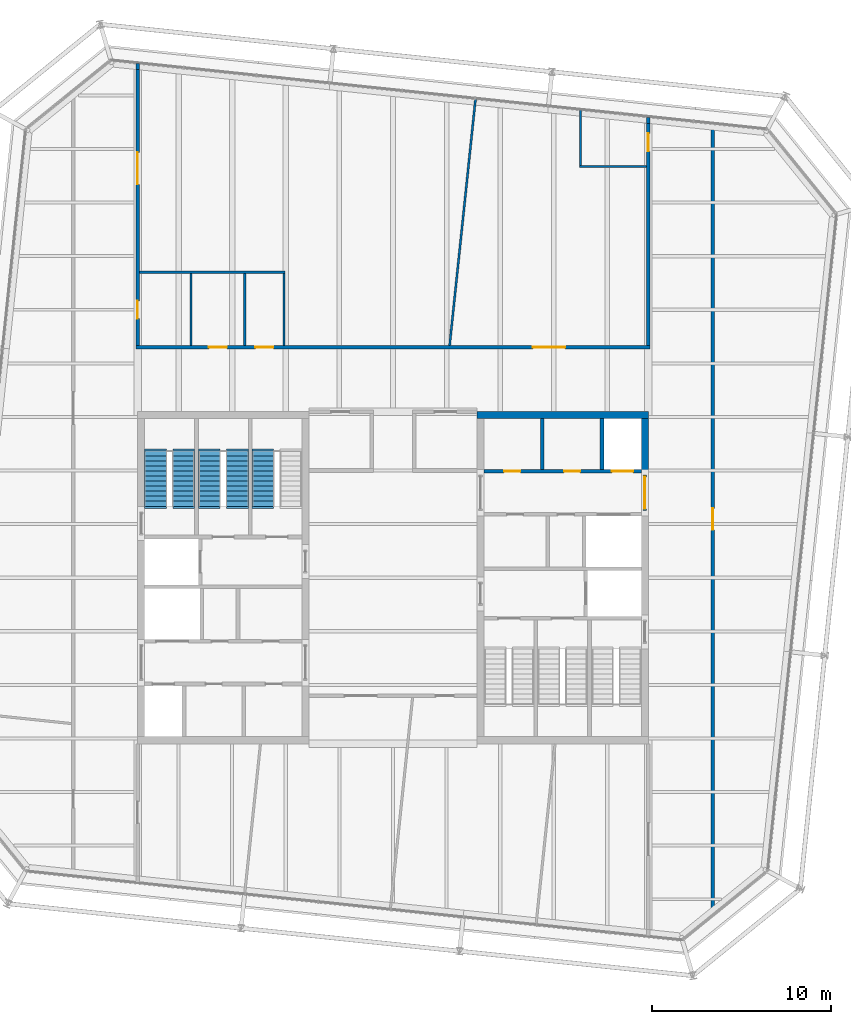
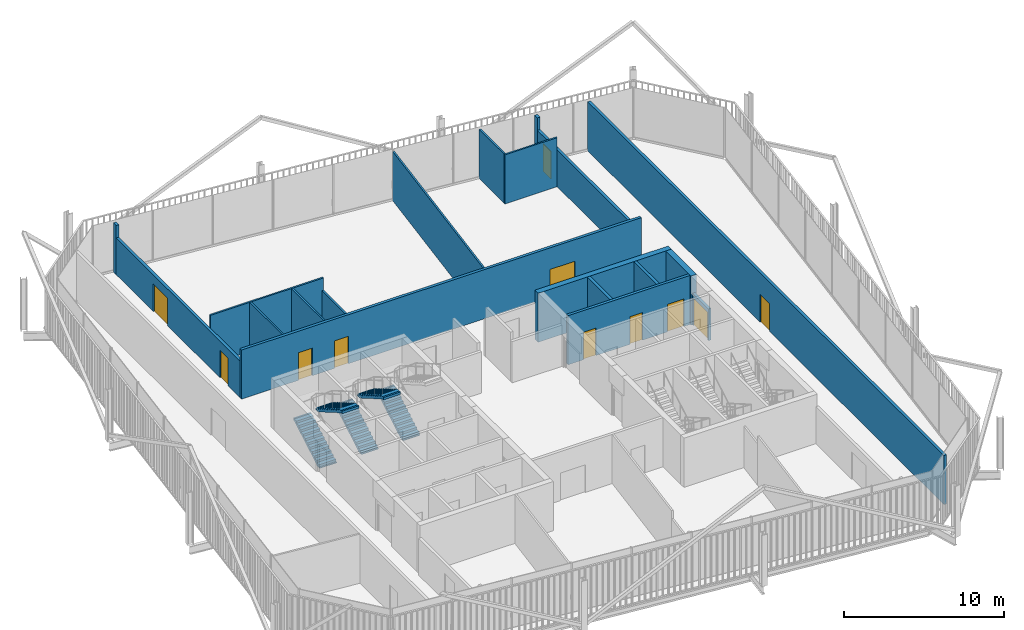
# One storey, part 19 of 21: 19 walls, 11 doors, 5 stair flights, 11 openings, 3 elements without a shape of their own.
"""IFC4 building model written with IfcOpenShell, lengths in metres."""

from ifc_helpers import new_model, si_unit, direction, frame, frame_2d, origin, place, context, subcontext, project, spatial, polyline, rectangle, outline, extrude, material, layer, layer_set, type_object, element, fill, aggregate, save


model = new_model("IFC4")

# Units and contexts
model_context = context("Model", 3, precision=1e-05, world=origin(), true_north=direction((0.0, 1.0)))
body_context = subcontext(model_context, "Body", "Model", "MODEL_VIEW")
ifc_project = project(units=[si_unit("LENGTHUNIT", "METRE"), si_unit("AREAUNIT", "SQUARE_METRE"), si_unit("VOLUMEUNIT", "CUBIC_METRE"), si_unit("PLANEANGLEUNIT", "RADIAN"), si_unit("MASSUNIT", "GRAM", prefix="KILO")], contexts=[model_context])

# Site, building, storey
site_placement = place(None, origin())
site = spatial("IfcSite", under=ifc_project, at=site_placement, CompositionType="ELEMENT")
building_placement = place(site_placement, origin())
building = spatial("IfcBuilding", under=site, at=building_placement, Name="Millrace Tower", CompositionType="ELEMENT")
storey_placement = place(building_placement, frame((0.0, 0.0, 291.60009765625)))
storey = spatial("IfcBuildingStorey", under=building, at=storey_placement, Name="L67", CompositionType="ELEMENT", Elevation=291.60009765625)

# Walls
ifc_material_1 = material(Name="Concrete C60", Category="concrete")
ifc_layer_1 = layer(ifc_material_1, 0.39990234375)
ifc_layer_set_1 = layer_set([ifc_layer_1], Name="Concrete C60")
wall_type_1 = type_object("IfcWallType", Name="Core wall 400 Concrete C60", PredefinedType="SHEAR", material=ifc_layer_set_1)
wall_1_placement = place(storey_placement, frame((14.300048828125, 9.10009765625, 0.0), z_axis=(0.0, 0.0, 1.0), x_axis=(-1.0, 0.0, 0.0)))
element("IfcWall", 1, at=wall_1_placement, inside=storey, type_object=wall_type_1, Name="Core wall E L67", PredefinedType="SHEAR", context=body_context, shape_type="SweptSolid", body=[
    extrude(rectangle(XDim=9.60009765625, YDim=0.39990234375, at=frame_2d((4.800048828125, 0.0))), origin(), (0.0, 0.0, 1.0), 3.739990234375),
])
wall_2_placement = place(storey_placement, frame((14.10009765625, 8.89990234375, 0.0), z_axis=(0.0, 0.0, 1.0), x_axis=(0.0, -1.0, 0.0)))
element("IfcWall", 2, at=wall_2_placement, inside=storey, type_object=wall_type_1, Name="Core wall E L67", PredefinedType="SHEAR", context=body_context, shape_type="SweptSolid", body=[
    extrude(rectangle(XDim=3.14990234375, YDim=0.39990234375, at=frame_2d((1.574951171875, 0.0))), origin(), (0.0, 0.0, 1.0), 3.739990234375),
])

# Wall, openings, doors
ifc_material_2 = material(Name="Masonry partition, fire-rated", Category="masonry")
ifc_layer_2 = layer(ifc_material_2, 0.199951171875)
ifc_layer_set_2 = layer_set([ifc_layer_2], Name="Masonry partition, fire-rated")
wall_type_2 = type_object("IfcWallType", Name="Corridor wall 200", PredefinedType="PARTITIONING", material=ifc_layer_set_2)
wall_3_placement = place(storey_placement, frame((-14.39990234375, 12.89990234375, 0.0), z_axis=(0.0, 0.0, 1.0), x_axis=(1.0, 0.0, 0.0)))
wall_3 = element("IfcWall", 3, at=wall_3_placement, inside=storey, type_object=wall_type_2, Name="Corridor wall L67", PredefinedType="PARTITIONING", context=body_context, shape_type="SweptSolid", body=[
    extrude(rectangle(XDim=28.7998046875, YDim=0.199951171875, at=frame_2d((14.39990234375, 0.0))), origin(), (0.0, 0.0, 1.0), 3.739990234375),
])
opening_1_placement = place(wall_3_placement, frame((22.22998046875, 0.0, 0.0)))
opening_1 = element("IfcOpeningElement", 4, at=opening_1_placement, cuts=wall_3, Name="Opening 67-P006", PredefinedType="OPENING", context=body_context, shape_type="SweptSolid", body=[
    extrude(rectangle(XDim=1.800048828125, YDim=2.10009765625, at=frame_2d((0.89990234375, 1.050048828125))), frame((0.0, 0.10986328125, 0.0), z_axis=(0.0, -1.0, 0.0), x_axis=(1.0, 0.0, 0.0)), (0.0, 0.0, 1.0), 0.219970703125),
])
opening_2_placement = place(wall_3_placement, frame((4.10009765625, 0.0, 0.0)))
opening_2 = element("IfcOpeningElement", 5, at=opening_2_placement, cuts=wall_3, Name="Opening 67-P014", PredefinedType="OPENING", context=body_context, shape_type="SweptSolid", body=[
    extrude(rectangle(XDim=1.0, YDim=2.10009765625, at=frame_2d((0.5, 1.050048828125))), frame((0.0, 0.10986328125, 0.0), z_axis=(0.0, -1.0, 0.0), x_axis=(1.0, 0.0, 0.0)), (0.0, 0.0, 1.0), 0.219970703125),
])
opening_3_placement = place(wall_3_placement, frame((6.699951171875, 0.0, 0.0)))
opening_3 = element("IfcOpeningElement", 6, at=opening_3_placement, cuts=wall_3, Name="Opening 67-P015", PredefinedType="OPENING", context=body_context, shape_type="SweptSolid", body=[
    extrude(rectangle(XDim=1.0, YDim=2.10009765625, at=frame_2d((0.5, 1.050048828125))), frame((0.0, 0.10986328125, 0.0), z_axis=(0.0, -1.0, 0.0), x_axis=(1.0, 0.0, 0.0)), (0.0, 0.0, 1.0), 0.219970703125),
])
ifc_material_3 = material(Name="Steel door set, fire-rated", Category="steel")
door_type_1 = type_object("IfcDoorType", Name="Corridor door 1000 x 2100", OperationType="SINGLE_SWING_LEFT", PredefinedType="DOOR", material=ifc_material_3)
door_1_placement = place(opening_2_placement, origin())
door_1 = element("IfcDoor", 7, at=door_1_placement, inside=storey, type_object=door_type_1, Name="Door 67-P014", OperationType="SINGLE_SWING_LEFT", OverallHeight=2.10009765625, OverallWidth=1.0, PredefinedType="DOOR", context=body_context, shape_type="SweptSolid", body=[
    extrude(rectangle(XDim=1.0, YDim=2.10009765625, at=frame_2d((0.5, 1.050048828125))), frame((0.0, 0.02490234375, 0.0), z_axis=(0.0, -1.0, 0.0), x_axis=(1.0, 0.0, 0.0)), (0.0, 0.0, 1.0), 0.050048828125),
])
fill(opening_2, door_1)
door_2_placement = place(opening_3_placement, origin())
door_2 = element("IfcDoor", 8, at=door_2_placement, inside=storey, type_object=door_type_1, Name="Door 67-P015", OperationType="SINGLE_SWING_LEFT", OverallHeight=2.10009765625, OverallWidth=1.0, PredefinedType="DOOR", context=body_context, shape_type="SweptSolid", body=[
    extrude(rectangle(XDim=1.0, YDim=2.10009765625, at=frame_2d((0.5, 1.050048828125))), frame((0.0, 0.02490234375, 0.0), z_axis=(0.0, -1.0, 0.0), x_axis=(1.0, 0.0, 0.0)), (0.0, 0.0, 1.0), 0.050048828125),
])
fill(opening_3, door_2)
ifc_material_4 = material(Name="Steel door set, fire-rated", Category="steel")
door_type_2 = type_object("IfcDoorType", Name="Corridor door 1800 x 2100", OperationType="DOUBLE_DOOR_SINGLE_SWING", PredefinedType="DOOR", material=ifc_material_4)
door_3_placement = place(opening_1_placement, origin())
door_3 = element("IfcDoor", 9, at=door_3_placement, inside=storey, type_object=door_type_2, Name="Door 67-P006", OperationType="DOUBLE_DOOR_SINGLE_SWING", OverallHeight=2.10009765625, OverallWidth=1.800048828125, PredefinedType="DOOR", context=body_context, shape_type="SweptSolid", body=[
    extrude(rectangle(XDim=1.800048828125, YDim=2.10009765625, at=frame_2d((0.89990234375, 1.050048828125))), frame((0.0, 0.02490234375, 0.0), z_axis=(0.0, -1.0, 0.0), x_axis=(1.0, 0.0, 0.0)), (0.0, 0.0, 1.0), 0.050048828125),
])
fill(opening_1, door_3)

# Wall, opening, door
wall_4_placement = place(storey_placement, frame((17.89990234375, -19.042236328125, 0.0), z_axis=(0.0, 0.0, 1.0), x_axis=(0.0, 1.0, 0.0)))
wall_4 = element("IfcWall", 10, at=wall_4_placement, inside=storey, type_object=wall_type_2, Name="Corridor wall L67", PredefinedType="PARTITIONING", context=body_context, shape_type="SweptSolid", body=[
    extrude(rectangle(XDim=44.437255859375, YDim=0.199951171875, at=frame_2d((22.21875, 0.0))), origin(), (0.0, 0.0, 1.0), 3.739990234375),
])
opening_4_placement = place(wall_4_placement, frame((21.725830078125, 0.0, 0.0)))
opening_4 = element("IfcOpeningElement", 11, at=opening_4_placement, cuts=wall_4, Name="Opening 67-P008", PredefinedType="OPENING", context=body_context, shape_type="SweptSolid", body=[
    extrude(rectangle(XDim=1.199951171875, YDim=2.10009765625, at=frame_2d((0.60009765625, 1.050048828125))), frame((0.0, 0.10986328125, 0.0), z_axis=(0.0, -1.0, 0.0), x_axis=(1.0, 0.0, 0.0)), (0.0, 0.0, 1.0), 0.219970703125),
])
ifc_material_5 = material(Name="Steel door set, fire-rated", Category="steel")
door_type_3 = type_object("IfcDoorType", Name="Corridor door 1200 x 2100", OperationType="SINGLE_SWING_LEFT", PredefinedType="DOOR", material=ifc_material_5)
door_4_placement = place(opening_4_placement, origin())
door_4 = element("IfcDoor", 12, at=door_4_placement, inside=storey, type_object=door_type_3, Name="Door 67-P008", OperationType="SINGLE_SWING_LEFT", OverallHeight=2.10009765625, OverallWidth=1.199951171875, PredefinedType="DOOR", context=body_context, shape_type="SweptSolid", body=[
    extrude(rectangle(XDim=1.199951171875, YDim=2.10009765625, at=frame_2d((0.60009765625, 1.050048828125))), frame((0.0, 0.02490234375, 0.0), z_axis=(0.0, -1.0, 0.0), x_axis=(1.0, 0.0, 0.0)), (0.0, 0.0, 1.0), 0.050048828125),
])
fill(opening_4, door_4)

wall_5_placement = place(storey_placement, frame((14.300048828125, 13.0, 0.0), z_axis=(0.0, 0.0, 1.0), x_axis=(0.0, 1.0, 0.0)))
wall_5 = element("IfcWall", 13, at=wall_5_placement, inside=storey, type_object=wall_type_2, Name="Corridor wall L67", PredefinedType="PARTITIONING", context=body_context, shape_type="SweptSolid", body=[
    extrude(rectangle(XDim=12.434326171875, YDim=0.199951171875, at=frame_2d((6.21728515625, 0.0))), origin(), (0.0, 0.0, 1.0), 2.79248046875),
])
opening_5_placement = place(wall_5_placement, frame((10.873046875, 0.0, 0.0)))
opening_5 = element("IfcOpeningElement", 14, at=opening_5_placement, cuts=wall_5, Name="Opening 67-P007", PredefinedType="OPENING", context=body_context, shape_type="SweptSolid", body=[
    extrude(rectangle(XDim=1.0, YDim=2.10009765625, at=frame_2d((0.5, 1.050048828125))), frame((0.0, 0.10986328125, 0.0), z_axis=(0.0, -1.0, 0.0), x_axis=(1.0, 0.0, 0.0)), (0.0, 0.0, 1.0), 0.219970703125),
])
door_5_placement = place(opening_5_placement, origin())
door_5 = element("IfcDoor", 15, at=door_5_placement, inside=storey, type_object=door_type_1, Name="Door 67-P007", OperationType="SINGLE_SWING_RIGHT", OverallHeight=2.10009765625, OverallWidth=1.0, PredefinedType="DOOR", context=body_context, shape_type="SweptSolid", body=[
    extrude(rectangle(XDim=1.0, YDim=2.10009765625, at=frame_2d((0.5, 1.050048828125))), frame((0.0, 0.02490234375, 0.0), z_axis=(0.0, -1.0, 0.0), x_axis=(1.0, 0.0, 0.0)), (0.0, 0.0, 1.0), 0.050048828125),
])
fill(opening_5, door_5)

# Wall
wall_6_placement = place(storey_placement, frame((14.300048828125, 25.434326171875, 0.0), z_axis=(0.0, 0.0, 1.0), x_axis=(0.0, 1.0, 0.0)))
element("IfcWall", 16, at=wall_6_placement, inside=storey, type_object=wall_type_2, Name="Corridor wall L67", PredefinedType="PARTITIONING", context=body_context, shape_type="SweptSolid", body=[
    extrude(rectangle(XDim=0.339111328125, YDim=0.199951171875, at=frame_2d((0.16943359375, 0.0))), origin(), (0.0, 0.0, 1.0), 3.739990234375),
])

# Wall, openings, doors
wall_7_placement = place(storey_placement, frame((-14.300048828125, 13.0, 0.0), z_axis=(0.0, 0.0, 1.0), x_axis=(0.0, 1.0, 0.0)))
wall_7 = element("IfcWall", 17, at=wall_7_placement, inside=storey, type_object=wall_type_2, Name="Corridor wall L67", PredefinedType="PARTITIONING", context=body_context, shape_type="SweptSolid", body=[
    extrude(rectangle(XDim=15.440185546875, YDim=0.199951171875, at=frame_2d((7.72021484375, 0.0))), origin(), (0.0, 0.0, 1.0), 2.79248046875),
])
opening_6_placement = place(wall_7_placement, frame((9.014404296875, 0.0, 0.0)))
opening_6 = element("IfcOpeningElement", 18, at=opening_6_placement, cuts=wall_7, Name="Opening 67-P005", PredefinedType="OPENING", context=body_context, shape_type="SweptSolid", body=[
    extrude(rectangle(XDim=1.800048828125, YDim=2.10009765625, at=frame_2d((0.89990234375, 1.050048828125))), frame((0.0, 0.10986328125, 0.0), z_axis=(0.0, -1.0, 0.0), x_axis=(1.0, 0.0, 0.0)), (0.0, 0.0, 1.0), 0.219970703125),
])
opening_7_placement = place(wall_7_placement, frame((1.5, 0.0, 0.0)))
opening_7 = element("IfcOpeningElement", 19, at=opening_7_placement, cuts=wall_7, Name="Opening 67-P013", PredefinedType="OPENING", context=body_context, shape_type="SweptSolid", body=[
    extrude(rectangle(XDim=1.0, YDim=2.10009765625, at=frame_2d((0.5, 1.050048828125))), frame((0.0, 0.10986328125, 0.0), z_axis=(0.0, -1.0, 0.0), x_axis=(1.0, 0.0, 0.0)), (0.0, 0.0, 1.0), 0.219970703125),
])
door_6_placement = place(opening_7_placement, frame((1.0, 0.0, 0.0), z_axis=(0.0, 0.0, 1.0), x_axis=(-1.0, 0.0, 0.0)))
door_6 = element("IfcDoor", 20, at=door_6_placement, inside=storey, type_object=door_type_1, Name="Door 67-P013", OperationType="SINGLE_SWING_RIGHT", OverallHeight=2.10009765625, OverallWidth=1.0, PredefinedType="DOOR", context=body_context, shape_type="SweptSolid", body=[
    extrude(rectangle(XDim=1.0, YDim=2.10009765625, at=frame_2d((0.5, 1.050048828125))), frame((0.0, 0.02490234375, 0.0), z_axis=(0.0, -1.0, 0.0), x_axis=(1.0, 0.0, 0.0)), (0.0, 0.0, 1.0), 0.050048828125),
])
fill(opening_7, door_6)
door_7_placement = place(opening_6_placement, origin())
door_7 = element("IfcDoor", 21, at=door_7_placement, inside=storey, type_object=door_type_2, Name="Door 67-P005", OperationType="DOUBLE_DOOR_SINGLE_SWING", OverallHeight=2.10009765625, OverallWidth=1.800048828125, PredefinedType="DOOR", context=body_context, shape_type="SweptSolid", body=[
    extrude(rectangle(XDim=1.800048828125, YDim=2.10009765625, at=frame_2d((0.89990234375, 1.050048828125))), frame((0.0, 0.02490234375, 0.0), z_axis=(0.0, -1.0, 0.0), x_axis=(1.0, 0.0, 0.0)), (0.0, 0.0, 1.0), 0.050048828125),
])
fill(opening_6, door_7)

# Wall
wall_8_placement = place(storey_placement, frame((-14.300048828125, 28.440185546875, 0.0), z_axis=(0.0, 0.0, 1.0), x_axis=(0.0, 1.0, 0.0)))
element("IfcWall", 22, at=wall_8_placement, inside=storey, type_object=wall_type_2, Name="Corridor wall L67", PredefinedType="PARTITIONING", context=body_context, shape_type="SweptSolid", body=[
    extrude(rectangle(XDim=0.33935546875, YDim=0.199951171875, at=frame_2d((0.169677734375, 0.0))), origin(), (0.0, 0.0, 1.0), 3.739990234375),
])

# Wall, openings, doors
ifc_material_6 = material(Name="Masonry partition, fire-rated", Category="masonry")
ifc_layer_3 = layer(ifc_material_6, 0.199951171875)
ifc_layer_set_3 = layer_set([ifc_layer_3], Name="Masonry partition, fire-rated")
wall_type_3 = type_object("IfcWallType", Name="Lift shaft wall 200", PredefinedType="PARTITIONING", material=ifc_layer_set_3)
wall_9_placement = place(storey_placement, frame((13.89990234375, 5.949951171875, 0.0), z_axis=(0.0, 0.0, 1.0), x_axis=(-1.0, 0.0, 0.0)))
wall_9 = element("IfcWall", 23, at=wall_9_placement, inside=storey, type_object=wall_type_3, Name="Lift shaft wall E L67", PredefinedType="PARTITIONING", context=body_context, shape_type="SweptSolid", body=[
    extrude(rectangle(XDim=8.7998046875, YDim=0.199951171875, at=frame_2d((4.39990234375, 0.0))), origin(), (0.0, 0.0, 1.0), 3.739990234375),
])
opening_8_placement = place(wall_9_placement, frame((0.449951171875, 0.0, 0.0)))
opening_8 = element("IfcOpeningElement", 24, at=opening_8_placement, cuts=wall_9, Name="Opening 67-LD09", PredefinedType="OPENING", context=body_context, shape_type="SweptSolid", body=[
    extrude(rectangle(XDim=1.199951171875, YDim=2.10009765625, at=frame_2d((0.60009765625, 1.050048828125))), frame((0.0, 0.10986328125, 0.0), z_axis=(0.0, -1.0, 0.0), x_axis=(1.0, 0.0, 0.0)), (0.0, 0.0, 1.0), 0.219970703125),
])
opening_9_placement = place(wall_9_placement, frame((3.425048828125, 0.0, 0.0)))
opening_9 = element("IfcOpeningElement", 25, at=opening_9_placement, cuts=wall_9, Name="Opening 67-C015", PredefinedType="OPENING", context=body_context, shape_type="SweptSolid", body=[
    extrude(rectangle(XDim=0.89990234375, YDim=2.10009765625, at=frame_2d((0.449951171875, 1.050048828125))), frame((0.0, 0.10986328125, 0.0), z_axis=(0.0, -1.0, 0.0), x_axis=(1.0, 0.0, 0.0)), (0.0, 0.0, 1.0), 0.219970703125),
])
opening_10_placement = place(wall_9_placement, frame((6.77490234375, 0.0, 0.0)))
opening_10 = element("IfcOpeningElement", 26, at=opening_10_placement, cuts=wall_9, Name="Opening 67-C016", PredefinedType="OPENING", context=body_context, shape_type="SweptSolid", body=[
    extrude(rectangle(XDim=0.89990234375, YDim=2.10009765625, at=frame_2d((0.449951171875, 1.050048828125))), frame((0.0, 0.10986328125, 0.0), z_axis=(0.0, -1.0, 0.0), x_axis=(1.0, 0.0, 0.0)), (0.0, 0.0, 1.0), 0.219970703125),
])
ifc_material_7 = material(Name="Stainless steel, fire-rated", Category="steel")
door_type_4 = type_object("IfcDoorType", Name="Lift landing door 1200 x 2100", OperationType="DOUBLE_DOOR_SLIDING", PredefinedType="DOOR", material=ifc_material_7)
door_8_placement = place(opening_8_placement, origin())
door_8 = element("IfcDoor", 27, at=door_8_placement, inside=storey, type_object=door_type_4, Name="Lift landing door LF9 L67", OperationType="DOUBLE_DOOR_SLIDING", OverallHeight=2.10009765625, OverallWidth=1.199951171875, PredefinedType="DOOR", context=body_context, shape_type="SweptSolid", body=[
    extrude(rectangle(XDim=1.199951171875, YDim=2.10009765625, at=frame_2d((0.60009765625, 1.050048828125))), frame((0.0, 0.02490234375, 0.0), z_axis=(0.0, -1.0, 0.0), x_axis=(1.0, 0.0, 0.0)), (0.0, 0.0, 1.0), 0.050048828125),
])
fill(opening_8, door_8)
ifc_material_8 = material(Name="Steel door, fire-rated", Category="steel")
door_type_5 = type_object("IfcDoorType", Name="Service room door 900 x 2100", OperationType="SINGLE_SWING_LEFT", PredefinedType="DOOR", material=ifc_material_8)
door_9_placement = place(opening_9_placement, frame((0.89990234375, 0.0, 0.0), z_axis=(0.0, 0.0, 1.0), x_axis=(-1.0, 0.0, 0.0)))
door_9 = element("IfcDoor", 28, at=door_9_placement, inside=storey, type_object=door_type_5, Name="Service room door 67-C015", OperationType="SINGLE_SWING_RIGHT", OverallHeight=2.10009765625, OverallWidth=0.89990234375, PredefinedType="DOOR", context=body_context, shape_type="SweptSolid", body=[
    extrude(rectangle(XDim=0.89990234375, YDim=2.10009765625, at=frame_2d((0.449951171875, 1.050048828125))), frame((0.0, 0.02490234375, 0.0), z_axis=(0.0, -1.0, 0.0), x_axis=(1.0, 0.0, 0.0)), (0.0, 0.0, 1.0), 0.050048828125),
])
fill(opening_9, door_9)
door_10_placement = place(opening_10_placement, frame((0.89990234375, 0.0, 0.0), z_axis=(0.0, 0.0, 1.0), x_axis=(-1.0, 0.0, 0.0)))
door_10 = element("IfcDoor", 29, at=door_10_placement, inside=storey, type_object=door_type_5, Name="Service room door 67-C016", OperationType="SINGLE_SWING_LEFT", OverallHeight=2.10009765625, OverallWidth=0.89990234375, PredefinedType="DOOR", context=body_context, shape_type="SweptSolid", body=[
    extrude(rectangle(XDim=0.89990234375, YDim=2.10009765625, at=frame_2d((0.449951171875, 1.050048828125))), frame((0.0, 0.02490234375, 0.0), z_axis=(0.0, -1.0, 0.0), x_axis=(1.0, 0.0, 0.0)), (0.0, 0.0, 1.0), 0.050048828125),
])
fill(opening_10, door_10)

# Wall
wall_10_placement = place(storey_placement, frame((11.699951171875, 8.89990234375, 0.0), z_axis=(0.0, 0.0, 1.0), x_axis=(0.0, -1.0, 0.0)))
element("IfcWall", 30, at=wall_10_placement, inside=storey, type_object=wall_type_3, Name="Lift shaft wall E L67", PredefinedType="PARTITIONING", context=body_context, shape_type="SweptSolid", body=[
    extrude(rectangle(XDim=2.849853515625, YDim=0.199951171875, at=frame_2d((1.4248046875, 0.0))), origin(), (0.0, 0.0, 1.0), 3.739990234375),
])

# Wall, opening, door
ifc_material_9 = material(Name="Masonry partition, fire-rated", Category="masonry")
ifc_layer_4 = layer(ifc_material_9, 0.199951171875)
ifc_layer_set_4 = layer_set([ifc_layer_4], Name="Masonry partition, fire-rated")
wall_type_4 = type_object("IfcWallType", Name="Lobby wall 200", PredefinedType="PARTITIONING", material=ifc_layer_set_4)
wall_11_placement = place(storey_placement, frame((14.10009765625, 5.75, 0.0), z_axis=(0.0, 0.0, 1.0), x_axis=(0.0, -1.0, 0.0)))
wall_11 = element("IfcWall", 31, at=wall_11_placement, inside=storey, type_object=wall_type_4, Name="Lobby wall E L67", PredefinedType="PARTITIONING", context=body_context, shape_type="SweptSolid", body=[
    extrude(rectangle(XDim=2.0, YDim=0.199951171875, at=frame_2d((1.0, 0.0))), origin(), (0.0, 0.0, 1.0), 2.39990234375),
])
opening_11_placement = place(wall_11_placement, frame((0.10009765625, 0.0, 0.0)))
opening_11 = element("IfcOpeningElement", 32, at=opening_11_placement, cuts=wall_11, Name="Opening 67-C011", PredefinedType="OPENING", context=body_context, shape_type="SweptSolid", body=[
    extrude(rectangle(XDim=1.800048828125, YDim=2.10009765625, at=frame_2d((0.89990234375, 1.050048828125))), frame((0.0, 0.10986328125, 0.0), z_axis=(0.0, -1.0, 0.0), x_axis=(1.0, 0.0, 0.0)), (0.0, 0.0, 1.0), 0.219970703125),
])
ifc_material_10 = material(Name="Steel door, fire-rated", Category="steel")
door_type_6 = type_object("IfcDoorType", Name="Lobby door 1800 x 2100", OperationType="DOUBLE_DOOR_SINGLE_SWING", PredefinedType="DOOR", material=ifc_material_10)
door_11_placement = place(opening_11_placement, origin())
door_11 = element("IfcDoor", 33, at=door_11_placement, inside=storey, type_object=door_type_6, Name="Lobby door 67-C011", OperationType="DOUBLE_DOOR_SINGLE_SWING", OverallHeight=2.10009765625, OverallWidth=1.800048828125, PredefinedType="DOOR", context=body_context, shape_type="SweptSolid", body=[
    extrude(rectangle(XDim=1.800048828125, YDim=2.10009765625, at=frame_2d((0.89990234375, 1.050048828125))), frame((0.0, 0.02490234375, 0.0), z_axis=(0.0, -1.0, 0.0), x_axis=(1.0, 0.0, 0.0)), (0.0, 0.0, 1.0), 0.050048828125),
])
fill(opening_11, door_11)

# Walls
ifc_material_11 = material(Name="Gypsum board partition")
ifc_layer_5 = layer(ifc_material_11, 0.1201171875)
ifc_layer_set_5 = layer_set([ifc_layer_5], Name="Gypsum board partition")
wall_type_5 = type_object("IfcWallType", Name="Partition wall 120", PredefinedType="PARTITIONING", material=ifc_layer_set_5)
wall_12_placement = place(storey_placement, frame((-14.199951171875, 17.10009765625, 0.0), z_axis=(0.0, 0.0, 1.0), x_axis=(1.0, 0.0, 0.0)))
element("IfcWall", 34, at=wall_12_placement, inside=storey, type_object=wall_type_5, Name="Partition wall L67", PredefinedType="PARTITIONING", context=body_context, shape_type="SweptSolid", body=[
    extrude(rectangle(XDim=8.159912109375, YDim=0.1201171875, at=frame_2d((4.080078125, 0.0))), origin(), (0.0, 0.0, 1.0), 3.739990234375),
])
wall_13_placement = place(storey_placement, frame((10.43994140625, 23.02294921875, 0.0), z_axis=(0.0, 0.0, 1.0), x_axis=(1.0, 0.0, 0.0)))
element("IfcWall", 35, at=wall_13_placement, inside=storey, type_object=wall_type_5, Name="Partition wall L67", PredefinedType="PARTITIONING", context=body_context, shape_type="SweptSolid", body=[
    extrude(rectangle(XDim=3.760009765625, YDim=0.1201171875, at=frame_2d((1.8798828125, 0.0))), origin(), (0.0, 0.0, 1.0), 3.739990234375),
])
wall_14_placement = place(storey_placement, frame((3.17041015625, 12.99951171875, 0.0), z_axis=(0.0, 0.0, 1.0), x_axis=(0.104559229742, 0.9945186612, 0.0)))
element("IfcWall", 36, at=wall_14_placement, inside=storey, type_object=wall_type_5, Name="Partition wall L67", PredefinedType="PARTITIONING", context=body_context, shape_type="SweptSolid", body=[
    extrude(rectangle(XDim=13.8671875, YDim=0.1201171875, at=frame_2d((6.93359375, 0.0))), origin(), (0.0, 0.0, 1.0), 3.739990234375),
])
wall_15_placement = place(storey_placement, frame((10.5, 23.0830078125, 0.0), z_axis=(0.0, 0.0, 1.0), x_axis=(0.0, 1.0, 0.0)))
element("IfcWall", 37, at=wall_15_placement, inside=storey, type_object=wall_type_5, Name="Partition wall L67", PredefinedType="PARTITIONING", context=body_context, shape_type="SweptSolid", body=[
    extrude(rectangle(XDim=3.08984375, YDim=0.1201171875, at=frame_2d((1.544921875, 0.0))), origin(), (0.0, 0.0, 1.0), 3.739990234375),
])
wall_16_placement = place(storey_placement, frame((-6.10009765625, 13.0, 0.0), z_axis=(0.0, 0.0, 1.0), x_axis=(0.0, 1.0, 0.0)))
element("IfcWall", 38, at=wall_16_placement, inside=storey, type_object=wall_type_5, Name="Partition wall L67", PredefinedType="PARTITIONING", context=body_context, shape_type="SweptSolid", body=[
    extrude(rectangle(XDim=4.0400390625, YDim=0.1201171875, at=frame_2d((2.02001953125, 0.0))), origin(), (0.0, 0.0, 1.0), 2.812744140625),
])
for number, where, z_axis, x_axis, name in (
    (39, (-8.300048828125, 13.0, 0.0), (0.0, 0.0, 1.0), (0.0, 1.0, 0.0), "Partition wall L67"),
    (40, (-11.300048828125, 13.0, 0.0), (0.0, 0.0, 1.0), (0.0, 1.0, 0.0), "Partition wall L67"),
):
    element("IfcWall", number, at=place(storey_placement, frame(where, z_axis=z_axis, x_axis=x_axis)), inside=storey, type_object=wall_type_5, Name=name, PredefinedType="PARTITIONING", context=body_context, shape_type="SweptSolid", body=[
        extrude(rectangle(XDim=4.0400390625, YDim=0.1201171875, at=frame_2d((2.02001953125, 0.0))), origin(), (0.0, 0.0, 1.0), 3.739990234375),
    ])
ifc_material_12 = material(Name="Masonry partition, fire-rated", Category="masonry")
ifc_layer_6 = layer(ifc_material_12, 0.199951171875)
ifc_layer_set_6 = layer_set([ifc_layer_6], Name="Masonry partition, fire-rated")
wall_type_6 = type_object("IfcWallType", Name="Room partition 200", PredefinedType="PARTITIONING", material=ifc_layer_set_6)
wall_17_placement = place(storey_placement, frame((8.35009765625, 8.89990234375, 0.0), z_axis=(0.0, 0.0, 1.0), x_axis=(0.0, -1.0, 0.0)))
element("IfcWall", 41, at=wall_17_placement, inside=storey, type_object=wall_type_6, Name="Room partition E L67", PredefinedType="PARTITIONING", context=body_context, shape_type="SweptSolid", body=[
    extrude(rectangle(XDim=2.849853515625, YDim=0.199951171875, at=frame_2d((1.4248046875, 0.0))), origin(), (0.0, 0.0, 1.0), 3.739990234375),
])

# Stair, stair flights
ifc_material_13 = material(Name="Concrete C35", Category="concrete")
stair_type = type_object("IfcStairType", Name="Exit stair", PredefinedType="HALF_TURN_STAIR", material=ifc_material_13)
placement = place(storey_placement, origin())
stair_1 = element("IfcStair", 42, at=placement, inside=storey, type_object=stair_type, Name="Stair 1 W L67", PredefinedType="HALF_TURN_STAIR")
ifc_material_14 = material(Name="Concrete C35", Category="concrete")
stair_flight_type = type_object("IfcStairFlightType", Name="Exit stair flight", PredefinedType="STRAIGHT", material=ifc_material_14)
stair_flight_1_placement = place(storey_placement, frame((-13.2900390625, 4.0, 0.0), z_axis=(0.0, 0.0, 1.0), x_axis=(0.0, 1.0, 0.0)))
stair_flight_1 = element("IfcStairFlight", 43, at=stair_flight_1_placement, type_object=stair_flight_type, Name="ST12 flight 1", NumberOfRisers=12, NumberOfTreads=11, PredefinedType="STRAIGHT", RiserHeight=0.1625, TreadLength=0.28, context=body_context, shape_type="SweptSolid", body=[
    extrude(outline(polyline([(-0.1201171875, -0.0400390625), (-0.1201171875, 0.0), (0.0, 0.0), (0.0, 0.16259765625), (0.280029296875, 0.16259765625), (0.280029296875, 0.324951171875), (0.56005859375, 0.324951171875), (0.56005859375, 0.487548828125), (0.840087890625, 0.487548828125), (0.840087890625, 0.64990234375), (1.1201171875, 0.64990234375), (1.1201171875, 0.8125), (1.39990234375, 0.8125), (1.39990234375, 0.97509765625), (1.679931640625, 0.97509765625), (1.679931640625, 1.137451171875), (1.9599609375, 1.137451171875), (1.9599609375, 1.300048828125), (2.239990234375, 1.300048828125), (2.239990234375, 1.46240234375), (2.52001953125, 1.46240234375), (2.52001953125, 1.625), (2.800048828125, 1.625), (2.800048828125, 1.78759765625), (3.080078125, 1.78759765625), (3.080078125, 1.8076171875), (3.199951171875, 1.8076171875), (3.199951171875, 1.6142578125), (3.080078125, 1.6142578125), (0.298583984375, 0.0), (0.298583984375, -0.0400390625), (-0.1201171875, -0.0400390625)])), frame((0.0, 0.60986328125, 0.0), z_axis=(0.0, -1.0, 0.0), x_axis=(1.0, 0.0, 0.0)), (0.0, 0.0, 1.0), 1.219970703125),
])
stair_flight_2_placement = place(storey_placement, frame((-11.7099609375, 7.080078125, 1.949951171875), z_axis=(0.0, 0.0, 1.0), x_axis=(0.0, -1.0, 0.0)))
stair_flight_2 = element("IfcStairFlight", 44, at=stair_flight_2_placement, type_object=stair_flight_type, Name="ST12 flight 2", NumberOfRisers=12, NumberOfTreads=11, PredefinedType="STRAIGHT", RiserHeight=0.1625, TreadLength=0.28, context=body_context, shape_type="SweptSolid", body=[
    extrude(outline(polyline([(-0.1201171875, -0.0400390625), (-0.1201171875, 0.0), (0.0, 0.0), (0.0, 0.16259765625), (0.280029296875, 0.16259765625), (0.280029296875, 0.324951171875), (0.56005859375, 0.324951171875), (0.56005859375, 0.487548828125), (0.840087890625, 0.487548828125), (0.840087890625, 0.64990234375), (1.1201171875, 0.64990234375), (1.1201171875, 0.8125), (1.39990234375, 0.8125), (1.39990234375, 0.97509765625), (1.679931640625, 0.97509765625), (1.679931640625, 1.137451171875), (1.9599609375, 1.137451171875), (1.9599609375, 1.300048828125), (2.239990234375, 1.300048828125), (2.239990234375, 1.46240234375), (2.52001953125, 1.46240234375), (2.52001953125, 1.625), (2.800048828125, 1.625), (2.800048828125, 1.78759765625), (3.080078125, 1.78759765625), (3.080078125, 1.8076171875), (3.199951171875, 1.8076171875), (3.199951171875, 1.6142578125), (3.080078125, 1.6142578125), (0.298583984375, 0.0), (0.298583984375, -0.0400390625), (-0.1201171875, -0.0400390625)])), frame((0.0, 0.60986328125, 0.0), z_axis=(0.0, -1.0, 0.0), x_axis=(1.0, 0.0, 0.0)), (0.0, 0.0, 1.0), 1.219970703125),
])
aggregate(stair_1, [stair_flight_1, stair_flight_2])

stair_2 = element("IfcStair", 45, at=placement, inside=storey, type_object=stair_type, Name="Stair 2 W L67", PredefinedType="HALF_TURN_STAIR")
stair_flight_3_placement = place(storey_placement, frame((-10.2900390625, 4.0, 0.0), z_axis=(0.0, 0.0, 1.0), x_axis=(0.0, 1.0, 0.0)))
stair_flight_3 = element("IfcStairFlight", 46, at=stair_flight_3_placement, type_object=stair_flight_type, Name="ST12 flight 1", NumberOfRisers=12, NumberOfTreads=11, PredefinedType="STRAIGHT", RiserHeight=0.1625, TreadLength=0.28, context=body_context, shape_type="SweptSolid", body=[
    extrude(outline(polyline([(-0.1201171875, -0.0400390625), (-0.1201171875, 0.0), (0.0, 0.0), (0.0, 0.16259765625), (0.280029296875, 0.16259765625), (0.280029296875, 0.324951171875), (0.56005859375, 0.324951171875), (0.56005859375, 0.487548828125), (0.840087890625, 0.487548828125), (0.840087890625, 0.64990234375), (1.1201171875, 0.64990234375), (1.1201171875, 0.8125), (1.39990234375, 0.8125), (1.39990234375, 0.97509765625), (1.679931640625, 0.97509765625), (1.679931640625, 1.137451171875), (1.9599609375, 1.137451171875), (1.9599609375, 1.300048828125), (2.239990234375, 1.300048828125), (2.239990234375, 1.46240234375), (2.52001953125, 1.46240234375), (2.52001953125, 1.625), (2.800048828125, 1.625), (2.800048828125, 1.78759765625), (3.080078125, 1.78759765625), (3.080078125, 1.8076171875), (3.199951171875, 1.8076171875), (3.199951171875, 1.6142578125), (3.080078125, 1.6142578125), (0.298583984375, 0.0), (0.298583984375, -0.0400390625), (-0.1201171875, -0.0400390625)])), frame((0.0, 0.60986328125, 0.0), z_axis=(0.0, -1.0, 0.0), x_axis=(1.0, 0.0, 0.0)), (0.0, 0.0, 1.0), 1.219970703125),
])
stair_flight_4_placement = place(storey_placement, frame((-8.7099609375, 7.080078125, 1.949951171875), z_axis=(0.0, 0.0, 1.0), x_axis=(0.0, -1.0, 0.0)))
stair_flight_4 = element("IfcStairFlight", 47, at=stair_flight_4_placement, type_object=stair_flight_type, Name="ST12 flight 2", NumberOfRisers=12, NumberOfTreads=11, PredefinedType="STRAIGHT", RiserHeight=0.1625, TreadLength=0.28, context=body_context, shape_type="SweptSolid", body=[
    extrude(outline(polyline([(-0.1201171875, -0.0400390625), (-0.1201171875, 0.0), (0.0, 0.0), (0.0, 0.16259765625), (0.280029296875, 0.16259765625), (0.280029296875, 0.324951171875), (0.56005859375, 0.324951171875), (0.56005859375, 0.487548828125), (0.840087890625, 0.487548828125), (0.840087890625, 0.64990234375), (1.1201171875, 0.64990234375), (1.1201171875, 0.8125), (1.39990234375, 0.8125), (1.39990234375, 0.97509765625), (1.679931640625, 0.97509765625), (1.679931640625, 1.137451171875), (1.9599609375, 1.137451171875), (1.9599609375, 1.300048828125), (2.239990234375, 1.300048828125), (2.239990234375, 1.46240234375), (2.52001953125, 1.46240234375), (2.52001953125, 1.625), (2.800048828125, 1.625), (2.800048828125, 1.78759765625), (3.080078125, 1.78759765625), (3.080078125, 1.8076171875), (3.199951171875, 1.8076171875), (3.199951171875, 1.6142578125), (3.080078125, 1.6142578125), (0.298583984375, 0.0), (0.298583984375, -0.0400390625), (-0.1201171875, -0.0400390625)])), frame((0.0, 0.60986328125, 0.0), z_axis=(0.0, -1.0, 0.0), x_axis=(1.0, 0.0, 0.0)), (0.0, 0.0, 1.0), 1.219970703125),
])
aggregate(stair_2, [stair_flight_3, stair_flight_4])

# Stair, stair flight
stair_3 = element("IfcStair", 48, at=placement, inside=storey, type_object=stair_type, Name="Stair 3 W L67", PredefinedType="HALF_TURN_STAIR")
stair_flight_5_placement = place(storey_placement, frame((-7.2900390625, 4.0, 0.0), z_axis=(0.0, 0.0, 1.0), x_axis=(0.0, 1.0, 0.0)))
stair_flight_5 = element("IfcStairFlight", 49, at=stair_flight_5_placement, type_object=stair_flight_type, Name="ST12 flight 1", NumberOfRisers=12, NumberOfTreads=11, PredefinedType="STRAIGHT", RiserHeight=0.1625, TreadLength=0.28, context=body_context, shape_type="SweptSolid", body=[
    extrude(outline(polyline([(-0.1201171875, -0.0400390625), (-0.1201171875, 0.0), (0.0, 0.0), (0.0, 0.16259765625), (0.280029296875, 0.16259765625), (0.280029296875, 0.324951171875), (0.56005859375, 0.324951171875), (0.56005859375, 0.487548828125), (0.840087890625, 0.487548828125), (0.840087890625, 0.64990234375), (1.1201171875, 0.64990234375), (1.1201171875, 0.8125), (1.39990234375, 0.8125), (1.39990234375, 0.97509765625), (1.679931640625, 0.97509765625), (1.679931640625, 1.137451171875), (1.9599609375, 1.137451171875), (1.9599609375, 1.300048828125), (2.239990234375, 1.300048828125), (2.239990234375, 1.46240234375), (2.52001953125, 1.46240234375), (2.52001953125, 1.625), (2.800048828125, 1.625), (2.800048828125, 1.78759765625), (3.080078125, 1.78759765625), (3.080078125, 1.8076171875), (3.199951171875, 1.8076171875), (3.199951171875, 1.6142578125), (3.080078125, 1.6142578125), (0.298583984375, 0.0), (0.298583984375, -0.0400390625), (-0.1201171875, -0.0400390625)])), frame((0.0, 0.60986328125, 0.0), z_axis=(0.0, -1.0, 0.0), x_axis=(1.0, 0.0, 0.0)), (0.0, 0.0, 1.0), 1.219970703125),
])
aggregate(stair_3, [stair_flight_5])

save(model, "model.ifc")
